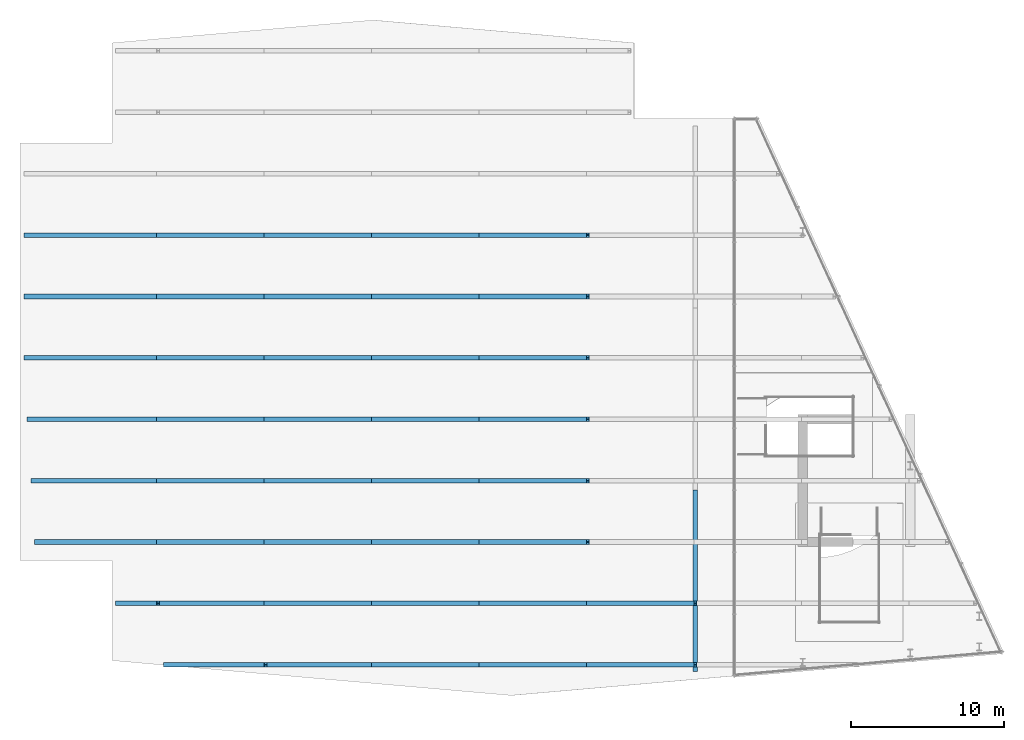
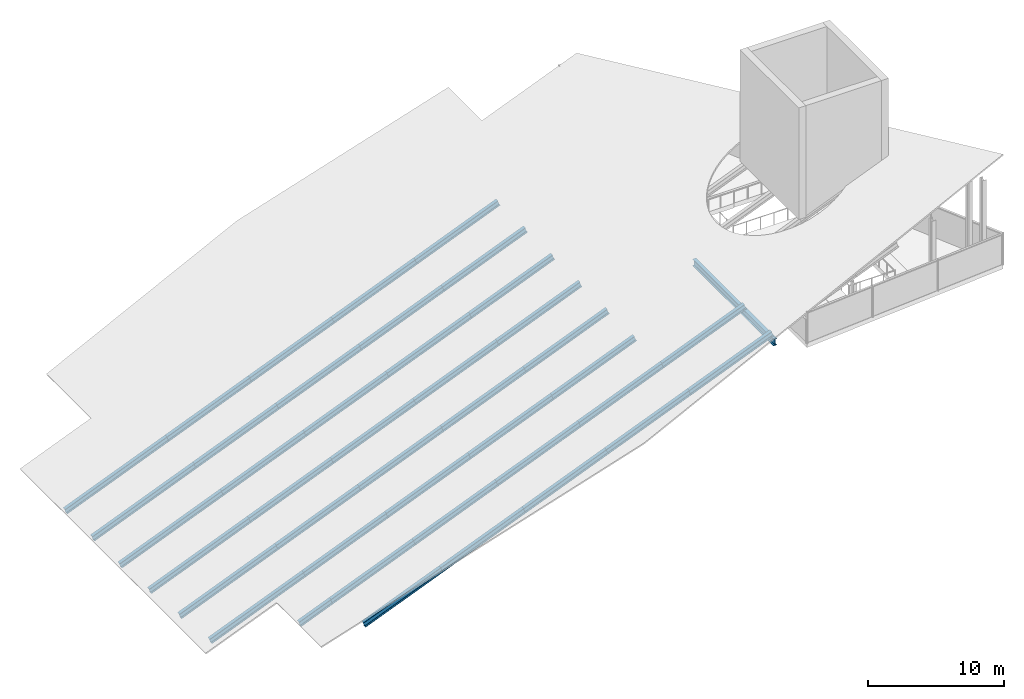
# One storey, part 2 of 8: 41 members, 1 beam.
"""IFC4 building model written with IfcOpenShell, lengths in metres."""

from ifc_helpers import new_model, si_unit, direction, frame, origin, origin_2d, place, context, subcontext, project, spatial, i_section, extrude, material, material_profile, profile_set, type_object, element, save


model = new_model("IFC4")

# Units and contexts
model_context = context("Model", 3, precision=1e-05, world=origin(), true_north=direction((0.0, 1.0)))
body_context = subcontext(model_context, "Body", "Model", "MODEL_VIEW")
ifc_project = project(units=[si_unit("LENGTHUNIT", "METRE"), si_unit("AREAUNIT", "SQUARE_METRE"), si_unit("VOLUMEUNIT", "CUBIC_METRE"), si_unit("PLANEANGLEUNIT", "RADIAN"), si_unit("MASSUNIT", "GRAM", prefix="KILO")], contexts=[model_context])

# Site, building, storey
site_placement = place(None, origin())
site = spatial("IfcSite", under=ifc_project, at=site_placement, CompositionType="ELEMENT")
building_placement = place(site_placement, origin())
building = spatial("IfcBuilding", under=site, at=building_placement, Name="Wharfspan Tower", CompositionType="ELEMENT")
storey_placement = place(building_placement, frame((0.0, 0.0, 277.100098)))
storey = spatial("IfcBuildingStorey", under=building, at=storey_placement, Name="L71", CompositionType="ELEMENT", Elevation=277.100098)

# Beam
ifc_material = material(Name="Steel S355J2", Category="steel")
ifc_material_profile_1 = material_profile(ifc_material, i_section(OverallWidth=0.300049, OverallDepth=0.600098, WebThickness=0.015381, FlangeThickness=0.030029, FilletRadius=0.0271, at=origin_2d()))
ifc_profile_set_1 = profile_set([ifc_material_profile_1], Name="Steel S355J2")
beam_type = type_object("IfcBeamType", Name="Roof girder HEB 600", PredefinedType="BEAM", material=ifc_profile_set_1)
beam_placement = place(storey_placement, frame((58.0, 7.550293, 0.806396), z_axis=(0.0, 1.0, 0.0), x_axis=(-1.0, 0.0, 0.0)))
element("IfcBeam", 1, at=beam_placement, inside=storey, type_object=beam_type, Name="Roof girder G6 8 to 19", PredefinedType="BEAM", context=body_context, shape_type="SweptSolid", body=[
    extrude(i_section(OverallWidth=0.300049, OverallDepth=0.600098, WebThickness=0.015381, FlangeThickness=0.030029, FilletRadius=0.0271, at=origin_2d()), origin(), (0.0, 0.0, 1.0), 11.849854),
])

# Members
ifc_material_profile_2 = material_profile(ifc_material, i_section(OverallWidth=0.300049, OverallDepth=0.5, WebThickness=0.014404, FlangeThickness=0.028076, FilletRadius=0.0271, at=origin_2d()))
ifc_profile_set_2 = profile_set([ifc_material_profile_2], Name="Steel S355J2")
member_type = type_object("IfcMemberType", Name="Roof rafter HEB 500", PredefinedType="RAFTER", material=ifc_profile_set_2)
member_1_placement = place(storey_placement, frame((23.444092, 8.0, -12.585449), z_axis=(0.927188, 0.0, 0.374597), x_axis=(0.0, 1.0, 0.0)))
element("IfcMember", 2, at=member_1_placement, inside=storey, type_object=member_type, Name="Roof rafter R1 bay 1", PredefinedType="RAFTER", context=body_context, shape_type="SweptSolid", body=[
    extrude(i_section(OverallWidth=0.300049, OverallDepth=0.5, WebThickness=0.014404, FlangeThickness=0.028076, FilletRadius=0.0271, at=origin_2d()), origin(), (0.0, 0.0, 1.0), 7.070801),
])
for number, where, z_axis, x_axis, name in (
    (3, (30.0, 8.0, -9.936768), (0.927187, 0.0, 0.3746), (0.0, 1.0, 0.0), "Roof rafter R1 bay 2"),
    (4, (37.0, 8.0, -7.108643), (0.927175, 0.0, 0.374628), (0.0, 1.0, 0.0), "Roof rafter R1 bay 3"),
    (5, (44.0, 8.0, -4.280273), (0.927187, 0.0, 0.3746), (0.0, 1.0, 0.0), "Roof rafter R1 bay 4"),
    (6, (51.0, 8.0, -1.452148), (0.927187, 0.0, 0.3746), (0.0, 1.0, 0.0), "Roof rafter R1 bay 5"),
):
    element("IfcMember", number, at=place(storey_placement, frame(where, z_axis=z_axis, x_axis=x_axis)), inside=storey, type_object=member_type, Name=name, PredefinedType="RAFTER", context=body_context, shape_type="SweptSolid", body=[
        extrude(i_section(OverallWidth=0.300049, OverallDepth=0.5, WebThickness=0.014404, FlangeThickness=0.028076, FilletRadius=0.0271, at=origin_2d()), origin(), (0.0, 0.0, 1.0), 7.549805),
    ])
member_2_placement = place(storey_placement, frame((20.300049, 12.0, -13.855713), z_axis=(0.927188, 0.0, 0.374598), x_axis=(0.0, 1.0, 0.0)))
element("IfcMember", 7, at=member_2_placement, inside=storey, type_object=member_type, Name="Roof rafter R2 bay 1", PredefinedType="RAFTER", context=body_context, shape_type="SweptSolid", body=[
    extrude(i_section(OverallWidth=0.300049, OverallDepth=0.5, WebThickness=0.014404, FlangeThickness=0.028076, FilletRadius=0.0271, at=origin_2d()), origin(), (0.0, 0.0, 1.0), 2.911865),
])
for number, where, z_axis, x_axis, name in (
    (8, (23.0, 12.0, -12.764893), (0.927187, 0.0, 0.3746), (0.0, 1.0, 0.0), "Roof rafter R2 bay 2"),
    (9, (30.0, 12.0, -9.936768), (0.927187, 0.0, 0.3746), (0.0, 1.0, 0.0), "Roof rafter R2 bay 3"),
    (10, (37.0, 12.0, -7.108643), (0.927175, 0.0, 0.374628), (0.0, 1.0, 0.0), "Roof rafter R2 bay 4"),
    (11, (44.0, 12.0, -4.280273), (0.927187, 0.0, 0.3746), (0.0, 1.0, 0.0), "Roof rafter R2 bay 5"),
    (12, (51.0, 12.0, -1.452148), (0.927187, 0.0, 0.3746), (0.0, 1.0, 0.0), "Roof rafter R2 bay 6"),
):
    element("IfcMember", number, at=place(storey_placement, frame(where, z_axis=z_axis, x_axis=x_axis)), inside=storey, type_object=member_type, Name=name, PredefinedType="RAFTER", context=body_context, shape_type="SweptSolid", body=[
        extrude(i_section(OverallWidth=0.300049, OverallDepth=0.5, WebThickness=0.014404, FlangeThickness=0.028076, FilletRadius=0.0271, at=origin_2d()), origin(), (0.0, 0.0, 1.0), 7.549805),
    ])
member_3_placement = place(storey_placement, frame((15.051758, 16.0, -15.976074), z_axis=(0.927189, 0.0, 0.374595), x_axis=(0.0, 1.0, 0.0)))
element("IfcMember", 13, at=member_3_placement, inside=storey, type_object=member_type, Name="Roof rafter R3 bay 1", PredefinedType="RAFTER", context=body_context, shape_type="SweptSolid", body=[
    extrude(i_section(OverallWidth=0.300049, OverallDepth=0.5, WebThickness=0.014404, FlangeThickness=0.028076, FilletRadius=0.0271, at=origin_2d()), origin(), (0.0, 0.0, 1.0), 8.57251),
])
for number, where, z_axis, x_axis, name in (
    (14, (23.0, 16.0, -12.764893), (0.927187, 0.0, 0.3746), (0.0, 1.0, 0.0), "Roof rafter R3 bay 2"),
    (15, (30.0, 16.0, -9.936768), (0.927187, 0.0, 0.3746), (0.0, 1.0, 0.0), "Roof rafter R3 bay 3"),
    (16, (37.0, 16.0, -7.108643), (0.927175, 0.0, 0.374628), (0.0, 1.0, 0.0), "Roof rafter R3 bay 4"),
    (17, (44.0, 16.0, -4.280273), (0.927187, 0.0, 0.3746), (0.0, 1.0, 0.0), "Roof rafter R3 bay 5"),
):
    element("IfcMember", number, at=place(storey_placement, frame(where, z_axis=z_axis, x_axis=x_axis)), inside=storey, type_object=member_type, Name=name, PredefinedType="RAFTER", context=body_context, shape_type="SweptSolid", body=[
        extrude(i_section(OverallWidth=0.300049, OverallDepth=0.5, WebThickness=0.014404, FlangeThickness=0.028076, FilletRadius=0.0271, at=origin_2d()), origin(), (0.0, 0.0, 1.0), 7.549805),
    ])
member_4_placement = place(storey_placement, frame((14.806885, 20.0, -16.075195), z_axis=(0.927181, 0.0, 0.374613), x_axis=(0.0, 1.0, 0.0)))
element("IfcMember", 18, at=member_4_placement, inside=storey, type_object=member_type, Name="Roof rafter R4 bay 1", PredefinedType="RAFTER", context=body_context, shape_type="SweptSolid", body=[
    extrude(i_section(OverallWidth=0.300049, OverallDepth=0.5, WebThickness=0.014404, FlangeThickness=0.028076, FilletRadius=0.0271, at=origin_2d()), origin(), (0.0, 0.0, 1.0), 8.83667),
])
for number, where, z_axis, x_axis, name in (
    (19, (23.0, 20.0, -12.764893), (0.927187, 0.0, 0.3746), (0.0, 1.0, 0.0), "Roof rafter R4 bay 2"),
    (20, (30.0, 20.0, -9.936768), (0.927187, 0.0, 0.3746), (0.0, 1.0, 0.0), "Roof rafter R4 bay 3"),
    (21, (37.0, 20.0, -7.108643), (0.927175, 0.0, 0.374628), (0.0, 1.0, 0.0), "Roof rafter R4 bay 4"),
    (22, (44.0, 20.0, -4.280273), (0.927187, 0.0, 0.3746), (0.0, 1.0, 0.0), "Roof rafter R4 bay 5"),
):
    element("IfcMember", number, at=place(storey_placement, frame(where, z_axis=z_axis, x_axis=x_axis)), inside=storey, type_object=member_type, Name=name, PredefinedType="RAFTER", context=body_context, shape_type="SweptSolid", body=[
        extrude(i_section(OverallWidth=0.300049, OverallDepth=0.5, WebThickness=0.014404, FlangeThickness=0.028076, FilletRadius=0.0271, at=origin_2d()), origin(), (0.0, 0.0, 1.0), 7.549805),
    ])
member_5_placement = place(storey_placement, frame((14.562012, 24.0, -16.174072), z_axis=(0.927183, 0.0, 0.374608), x_axis=(0.0, 1.0, 0.0)))
element("IfcMember", 23, at=member_5_placement, inside=storey, type_object=member_type, Name="Roof rafter R5 bay 1", PredefinedType="RAFTER", context=body_context, shape_type="SweptSolid", body=[
    extrude(i_section(OverallWidth=0.300049, OverallDepth=0.5, WebThickness=0.014404, FlangeThickness=0.028076, FilletRadius=0.0271, at=origin_2d()), origin(), (0.0, 0.0, 1.0), 9.100586),
])
for number, where, z_axis, x_axis, name in (
    (24, (23.0, 24.0, -12.764893), (0.927187, 0.0, 0.3746), (0.0, 1.0, 0.0), "Roof rafter R5 bay 2"),
    (25, (30.0, 24.0, -9.936768), (0.927187, 0.0, 0.3746), (0.0, 1.0, 0.0), "Roof rafter R5 bay 3"),
    (26, (37.0, 24.0, -7.108643), (0.927175, 0.0, 0.374628), (0.0, 1.0, 0.0), "Roof rafter R5 bay 4"),
    (27, (44.0, 24.0, -4.280273), (0.927187, 0.0, 0.3746), (0.0, 1.0, 0.0), "Roof rafter R5 bay 5"),
):
    element("IfcMember", number, at=place(storey_placement, frame(where, z_axis=z_axis, x_axis=x_axis)), inside=storey, type_object=member_type, Name=name, PredefinedType="RAFTER", context=body_context, shape_type="SweptSolid", body=[
        extrude(i_section(OverallWidth=0.300049, OverallDepth=0.5, WebThickness=0.014404, FlangeThickness=0.028076, FilletRadius=0.0271, at=origin_2d()), origin(), (0.0, 0.0, 1.0), 7.549805),
    ])
member_6_placement = place(storey_placement, frame((14.359863, 28.0, -16.255859), z_axis=(0.927179, 0.0, 0.374618), x_axis=(0.0, 1.0, 0.0)))
element("IfcMember", 28, at=member_6_placement, inside=storey, type_object=member_type, Name="Roof rafter R6 bay 1", PredefinedType="RAFTER", context=body_context, shape_type="SweptSolid", body=[
    extrude(i_section(OverallWidth=0.300049, OverallDepth=0.5, WebThickness=0.014404, FlangeThickness=0.028076, FilletRadius=0.0271, at=origin_2d()), origin(), (0.0, 0.0, 1.0), 9.318848),
])
for number, where, z_axis, x_axis, name in (
    (29, (23.0, 28.0, -12.764893), (0.927187, 0.0, 0.3746), (0.0, 1.0, 0.0), "Roof rafter R6 bay 2"),
    (30, (30.0, 28.0, -9.936768), (0.927187, 0.0, 0.3746), (0.0, 1.0, 0.0), "Roof rafter R6 bay 3"),
    (31, (37.0, 28.0, -7.108643), (0.927175, 0.0, 0.374628), (0.0, 1.0, 0.0), "Roof rafter R6 bay 4"),
    (32, (44.0, 28.0, -4.280273), (0.927187, 0.0, 0.3746), (0.0, 1.0, 0.0), "Roof rafter R6 bay 5"),
):
    element("IfcMember", number, at=place(storey_placement, frame(where, z_axis=z_axis, x_axis=x_axis)), inside=storey, type_object=member_type, Name=name, PredefinedType="RAFTER", context=body_context, shape_type="SweptSolid", body=[
        extrude(i_section(OverallWidth=0.300049, OverallDepth=0.5, WebThickness=0.014404, FlangeThickness=0.028076, FilletRadius=0.0271, at=origin_2d()), origin(), (0.0, 0.0, 1.0), 7.549805),
    ])
member_7_placement = place(storey_placement, frame((14.359131, 32.0, -16.256104), z_axis=(0.927181, 0.0, 0.374613), x_axis=(0.0, 1.0, 0.0)))
element("IfcMember", 33, at=member_7_placement, inside=storey, type_object=member_type, Name="Roof rafter R7 bay 1", PredefinedType="RAFTER", context=body_context, shape_type="SweptSolid", body=[
    extrude(i_section(OverallWidth=0.300049, OverallDepth=0.5, WebThickness=0.014404, FlangeThickness=0.028076, FilletRadius=0.0271, at=origin_2d()), origin(), (0.0, 0.0, 1.0), 9.31958),
])
for number, where, z_axis, x_axis, name in (
    (34, (23.0, 32.0, -12.764893), (0.927187, 0.0, 0.3746), (0.0, 1.0, 0.0), "Roof rafter R7 bay 2"),
    (35, (30.0, 32.0, -9.936768), (0.927187, 0.0, 0.3746), (0.0, 1.0, 0.0), "Roof rafter R7 bay 3"),
    (36, (37.0, 32.0, -7.108643), (0.927175, 0.0, 0.374628), (0.0, 1.0, 0.0), "Roof rafter R7 bay 4"),
    (37, (44.0, 32.0, -4.280273), (0.927187, 0.0, 0.3746), (0.0, 1.0, 0.0), "Roof rafter R7 bay 5"),
):
    element("IfcMember", number, at=place(storey_placement, frame(where, z_axis=z_axis, x_axis=x_axis)), inside=storey, type_object=member_type, Name=name, PredefinedType="RAFTER", context=body_context, shape_type="SweptSolid", body=[
        extrude(i_section(OverallWidth=0.300049, OverallDepth=0.5, WebThickness=0.014404, FlangeThickness=0.028076, FilletRadius=0.0271, at=origin_2d()), origin(), (0.0, 0.0, 1.0), 7.549805),
    ])
member_8_placement = place(storey_placement, frame((14.358154, 36.0, -16.256348), z_axis=(0.927187, 0.0, 0.374599), x_axis=(0.0, 1.0, 0.0)))
element("IfcMember", 38, at=member_8_placement, inside=storey, type_object=member_type, Name="Roof rafter R8 bay 1", PredefinedType="RAFTER", context=body_context, shape_type="SweptSolid", body=[
    extrude(i_section(OverallWidth=0.300049, OverallDepth=0.5, WebThickness=0.014404, FlangeThickness=0.028076, FilletRadius=0.0271, at=origin_2d()), origin(), (0.0, 0.0, 1.0), 9.320557),
])
for number, where, z_axis, x_axis, name in (
    (39, (23.0, 36.0, -12.764893), (0.927187, 0.0, 0.3746), (0.0, 1.0, 0.0), "Roof rafter R8 bay 2"),
    (40, (30.0, 36.0, -9.936768), (0.927187, 0.0, 0.3746), (0.0, 1.0, 0.0), "Roof rafter R8 bay 3"),
    (41, (37.0, 36.0, -7.108643), (0.927175, 0.0, 0.374628), (0.0, 1.0, 0.0), "Roof rafter R8 bay 4"),
    (42, (44.0, 36.0, -4.280273), (0.927187, 0.0, 0.3746), (0.0, 1.0, 0.0), "Roof rafter R8 bay 5"),
):
    element("IfcMember", number, at=place(storey_placement, frame(where, z_axis=z_axis, x_axis=x_axis)), inside=storey, type_object=member_type, Name=name, PredefinedType="RAFTER", context=body_context, shape_type="SweptSolid", body=[
        extrude(i_section(OverallWidth=0.300049, OverallDepth=0.5, WebThickness=0.014404, FlangeThickness=0.028076, FilletRadius=0.0271, at=origin_2d()), origin(), (0.0, 0.0, 1.0), 7.549805),
    ])

save(model, "model.ifc")
